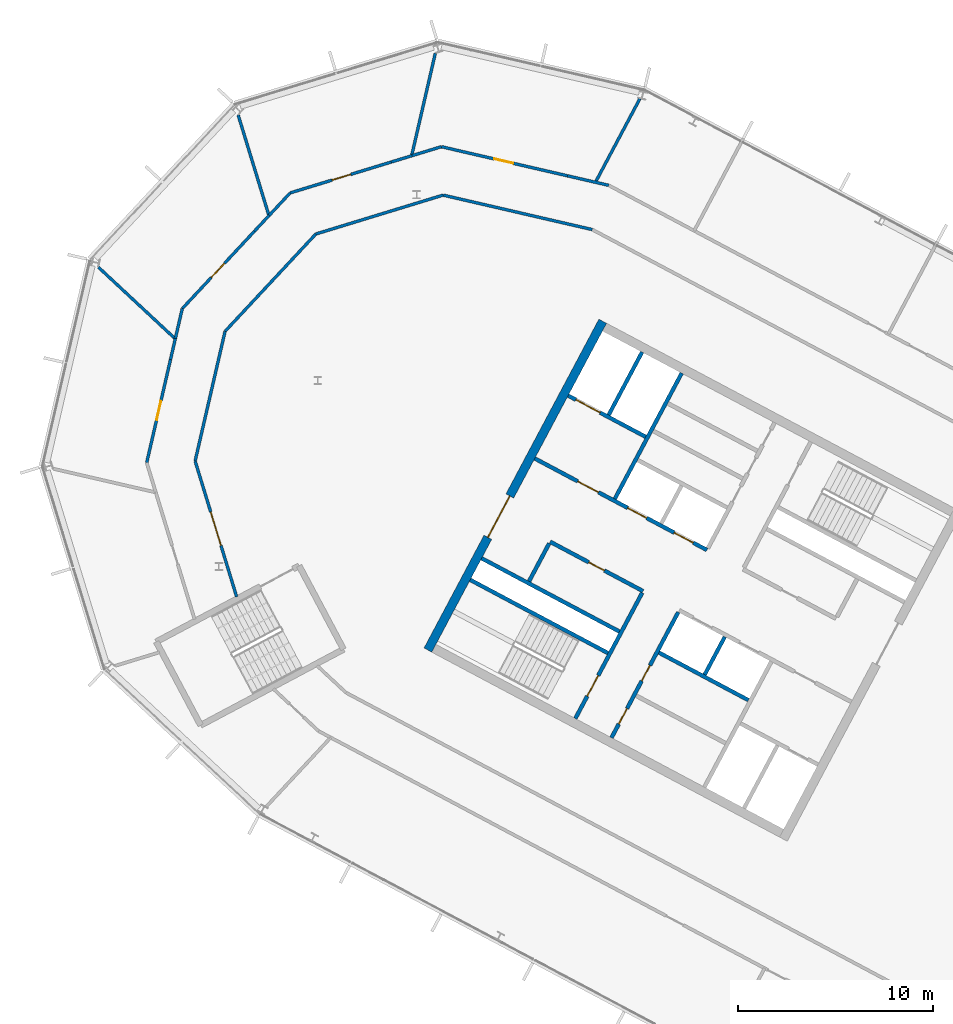
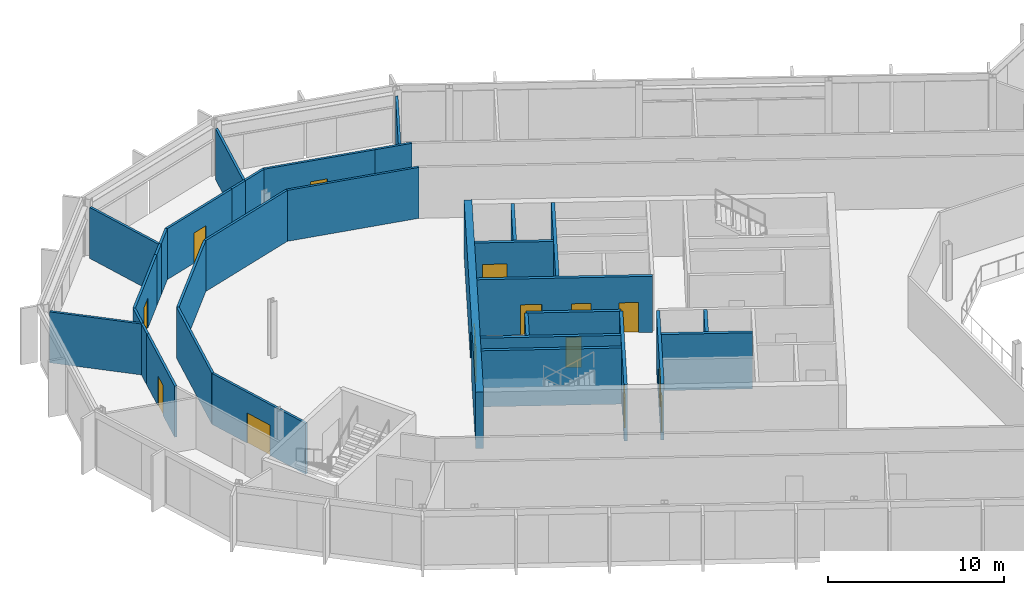
# One storey, part 14 of 26: 33 walls, 14 doors, 14 openings.
"""IFC4 building model written with IfcOpenShell, lengths in metres."""

from ifc_helpers import new_model, si_unit, direction, frame, frame_2d, origin, place, context, subcontext, project, spatial, rectangle, extrude, material, layer, layer_set, type_object, element, fill, save


model = new_model("IFC4")

# Units and contexts
model_context = context("Model", 3, precision=1e-05, world=origin(), true_north=direction((0.0, 1.0)))
body_context = subcontext(model_context, "Body", "Model", "MODEL_VIEW")
ifc_project = project(units=[si_unit("LENGTHUNIT", "METRE"), si_unit("AREAUNIT", "SQUARE_METRE"), si_unit("VOLUMEUNIT", "CUBIC_METRE"), si_unit("PLANEANGLEUNIT", "RADIAN"), si_unit("MASSUNIT", "GRAM", prefix="KILO")], contexts=[model_context])

# Site, building, storey
site_placement = place(None, origin())
site = spatial("IfcSite", under=ifc_project, at=site_placement, CompositionType="ELEMENT")
building_placement = place(site_placement, origin())
building = spatial("IfcBuilding", under=site, at=building_placement, Name="Cormorant Relay Tower", CompositionType="ELEMENT")
storey_placement = place(building_placement, frame((0.0, 0.0, 308.699951171875)))
storey = spatial("IfcBuildingStorey", under=building, at=storey_placement, Name="L70", CompositionType="ELEMENT", Elevation=308.699951171875)

# Wall
ifc_material_1 = material(Name="Concrete 40 MPa", Category="concrete")
ifc_layer_1 = layer(ifc_material_1, 0.199951171875)
ifc_layer_set_1 = layer_set([ifc_layer_1], Name="Core internal wall 200")
wall_type_1 = type_object("IfcWallType", Name="Core internal wall 200", PredefinedType="SOLIDWALL", material=ifc_layer_set_1)
wall_1_placement = place(storey_placement, frame((-25.744140625, 11.64990234375, 0.0), z_axis=(0.0, 0.0, 1.0), x_axis=(-0.469487830541, -0.882938942948, 0.0)))
element("IfcWall", 1, at=wall_1_placement, inside=storey, type_object=wall_type_1, Name="L70 core A shaft and room wall", PredefinedType="SOLIDWALL", context=body_context, shape_type="SweptSolid", body=[
    extrude(rectangle(XDim=2.2001953125, YDim=0.199951171875, at=frame_2d((1.10009765625, 0.0))), origin(), (0.0, 0.0, 1.0), 3.900146484375),
])

# Wall, openings, doors
ifc_material_2 = material(Name="Concrete 50 MPa", Category="concrete")
ifc_layer_2 = layer(ifc_material_2, 0.199951171875)
ifc_layer_set_2 = layer_set([ifc_layer_2], Name="Core shaft wall 200")
wall_type_2 = type_object("IfcWallType", Name="Core shaft wall 200", PredefinedType="SHEAR", material=ifc_layer_set_2)
wall_2_placement = place(storey_placement, frame((-28.128173828125, 12.91748046875, 0.0), z_axis=(0.0, 0.0, 1.0), x_axis=(-0.469454336211, -0.882956752176, 0.0)))
wall_2 = element("IfcWall", 2, at=wall_2_placement, inside=storey, type_object=wall_type_2, Name="L70 core A shaft wall", PredefinedType="SHEAR", context=body_context, shape_type="SweptSolid", body=[
    extrude(rectangle(XDim=7.300048828125, YDim=0.199951171875, at=frame_2d((3.64990234375, 0.0))), origin(), (0.0, 0.0, 1.0), 3.900146484375),
])
opening_1_placement = place(wall_2_placement, frame((3.10009765625, 0.0, 0.0)))
opening_1 = element("IfcOpeningElement", 3, at=opening_1_placement, cuts=wall_2, Name="Opening CDD-345", PredefinedType="OPENING", context=body_context, shape_type="SweptSolid", body=[
    extrude(rectangle(XDim=0.89990234375, YDim=2.10009765625, at=frame_2d((0.449951171875, 1.050048828125))), frame((0.0, 0.10986328125, 0.0), z_axis=(0.0, -1.0, 0.0), x_axis=(1.0, 0.0, 0.0)), (0.0, 0.0, 1.0), 0.219970703125),
])
opening_2_placement = place(wall_2_placement, frame((5.60009765625, 0.0, 0.0)))
opening_2 = element("IfcOpeningElement", 4, at=opening_2_placement, cuts=wall_2, Name="Opening CDD-346", PredefinedType="OPENING", context=body_context, shape_type="SweptSolid", body=[
    extrude(rectangle(XDim=0.89990234375, YDim=2.10009765625, at=frame_2d((0.449951171875, 1.050048828125))), frame((0.0, 0.10986328125, 0.0), z_axis=(0.0, -1.0, 0.0), x_axis=(1.0, 0.0, 0.0)), (0.0, 0.0, 1.0), 0.219970703125),
])
ifc_material_3 = material(Name="Steel fire door", Category="steel")
door_type_1 = type_object("IfcDoorType", Name="Core room door 900x2100", OperationType="SINGLE_SWING_LEFT", PredefinedType="DOOR", material=ifc_material_3)
door_1_placement = place(opening_1_placement, origin())
door_1 = element("IfcDoor", 5, at=door_1_placement, inside=storey, type_object=door_type_1, Name="Core room door 900x2100", OperationType="SINGLE_SWING_LEFT", OverallHeight=2.10009765625, OverallWidth=0.89990234375, PredefinedType="DOOR", context=body_context, shape_type="SweptSolid", body=[
    extrude(rectangle(XDim=0.89990234375, YDim=2.10009765625, at=frame_2d((0.449951171875, 1.050048828125))), frame((0.0, 0.02490234375, 0.0), z_axis=(0.0, -1.0, 0.0), x_axis=(1.0, 0.0, 0.0)), (0.0, 0.0, 1.0), 0.050048828125),
])
fill(opening_1, door_1)
door_2_placement = place(opening_2_placement, origin())
door_2 = element("IfcDoor", 6, at=door_2_placement, inside=storey, type_object=door_type_1, Name="Core room door 900x2100", OperationType="SINGLE_SWING_LEFT", OverallHeight=2.10009765625, OverallWidth=0.89990234375, PredefinedType="DOOR", context=body_context, shape_type="SweptSolid", body=[
    extrude(rectangle(XDim=0.89990234375, YDim=2.10009765625, at=frame_2d((0.449951171875, 1.050048828125))), frame((0.0, 0.02490234375, 0.0), z_axis=(0.0, -1.0, 0.0), x_axis=(1.0, 0.0, 0.0)), (0.0, 0.0, 1.0), 0.050048828125),
])
fill(opening_2, door_2)

# Wall, opening, door
wall_3_placement = place(storey_placement, frame((-29.982421875, 13.9033203125, 0.0), z_axis=(0.0, 0.0, 1.0), x_axis=(-0.469454336211, -0.882956752176, 0.0)))
wall_3 = element("IfcWall", 7, at=wall_3_placement, inside=storey, type_object=wall_type_2, Name="L70 core A shaft wall", PredefinedType="SHEAR", context=body_context, shape_type="SweptSolid", body=[
    extrude(rectangle(XDim=7.300048828125, YDim=0.199951171875, at=frame_2d((3.64990234375, 0.0))), origin(), (0.0, 0.0, 1.0), 3.900146484375),
])
opening_3_placement = place(wall_3_placement, frame((4.800048828125, 0.0, 0.0)))
opening_3 = element("IfcOpeningElement", 8, at=opening_3_placement, cuts=wall_3, Name="Opening CDB-039", PredefinedType="OPENING", context=body_context, shape_type="SweptSolid", body=[
    extrude(rectangle(XDim=1.199951171875, YDim=2.10009765625, at=frame_2d((0.60009765625, 1.050048828125))), frame((0.0, 0.10986328125, 0.0), z_axis=(0.0, -1.0, 0.0), x_axis=(1.0, 0.0, 0.0)), (0.0, 0.0, 1.0), 0.219970703125),
])
ifc_material_4 = material(Name="Steel fire door", Category="steel")
door_type_2 = type_object("IfcDoorType", Name="Core stair door 1200x2100", OperationType="SINGLE_SWING_LEFT", PredefinedType="DOOR", material=ifc_material_4)
door_3_placement = place(opening_3_placement, frame((1.199951171875, 0.0, 0.0), z_axis=(0.0, 0.0, 1.0), x_axis=(-1.0, 0.0, 0.0)))
door_3 = element("IfcDoor", 9, at=door_3_placement, inside=storey, type_object=door_type_2, Name="Core stair door 1200x2100", OperationType="SINGLE_SWING_RIGHT", OverallHeight=2.10009765625, OverallWidth=1.199951171875, PredefinedType="DOOR", context=body_context, shape_type="SweptSolid", body=[
    extrude(rectangle(XDim=1.199951171875, YDim=2.10009765625, at=frame_2d((0.60009765625, 1.050048828125))), frame((0.0, 0.02490234375, 0.0), z_axis=(0.0, -1.0, 0.0), x_axis=(1.0, 0.0, 0.0)), (0.0, 0.0, 1.0), 0.050048828125),
])
fill(opening_3, door_3)

# Walls
wall_4_placement = place(storey_placement, frame((-27.955322265625, 25.170654296875, 0.0), z_axis=(0.0, 0.0, 1.0), x_axis=(-0.469480409012, -0.88294288918, 0.0)))
element("IfcWall", 10, at=wall_4_placement, inside=storey, type_object=wall_type_2, Name="L70 core A shaft wall", PredefinedType="SHEAR", context=body_context, shape_type="SweptSolid", body=[
    extrude(rectangle(XDim=7.300048828125, YDim=0.199951171875, at=frame_2d((3.64990234375, 0.0))), origin(), (0.0, 0.0, 1.0), 3.900146484375),
])
wall_5_placement = place(storey_placement, frame((-34.750244140625, 16.4384765625, 0.0), z_axis=(0.0, 0.0, 1.0), x_axis=(-0.469401318492, -0.882984938828, 0.0)))
element("IfcWall", 11, at=wall_5_placement, inside=storey, type_object=wall_type_2, Name="L70 core A shaft wall", PredefinedType="SHEAR", context=body_context, shape_type="SweptSolid", body=[
    extrude(rectangle(XDim=2.199951171875, YDim=0.199951171875, at=frame_2d((1.10009765625, 0.0))), origin(), (0.0, 0.0, 1.0), 3.900146484375),
])
wall_6_placement = place(storey_placement, frame((-29.986083984375, 26.250244140625, 0.0), z_axis=(0.0, 0.0, 1.0), x_axis=(-0.469494272526, -0.882935517501, 0.0)))
element("IfcWall", 12, at=wall_6_placement, inside=storey, type_object=wall_type_2, Name="L70 core A shaft wall", PredefinedType="SHEAR", context=body_context, shape_type="SweptSolid", body=[
    extrude(rectangle(XDim=3.64990234375, YDim=0.199951171875, at=frame_2d((1.824951171875, 0.0))), origin(), (0.0, 0.0, 1.0), 3.900146484375),
])

# Wall, opening, door
wall_7_placement = place(storey_placement, frame((-29.80419921875, 21.906494140625, 0.0), z_axis=(0.0, 0.0, 1.0), x_axis=(-0.882960433586, 0.469447412093, 0.0)))
wall_7 = element("IfcWall", 13, at=wall_7_placement, inside=storey, type_object=wall_type_2, Name="L70 core A shaft wall", PredefinedType="SHEAR", context=body_context, shape_type="SweptSolid", body=[
    extrude(rectangle(XDim=4.5, YDim=0.199951171875, at=frame_2d((2.25, 0.0))), origin(), (0.0, 0.0, 1.0), 3.900146484375),
])
opening_4_placement = place(wall_7_placement, frame((2.64990234375, 0.0, 0.0)))
opening_4 = element("IfcOpeningElement", 14, at=opening_4_placement, cuts=wall_7, Name="Opening LD3-015", PredefinedType="OPENING", context=body_context, shape_type="SweptSolid", body=[
    extrude(rectangle(XDim=1.39990234375, YDim=2.39990234375, at=frame_2d((0.699951171875, 1.199951171875))), frame((0.0, 0.10986328125, 0.0), z_axis=(0.0, -1.0, 0.0), x_axis=(1.0, 0.0, 0.0)), (0.0, 0.0, 1.0), 0.219970703125),
])
ifc_material_5 = material(Name="Stainless steel 316", Category="steel")
door_type_3 = type_object("IfcDoorType", Name="Lift landing door 1400x2400", OperationType="DOUBLE_DOOR_SLIDING", PredefinedType="DOOR", material=ifc_material_5)
door_4_placement = place(opening_4_placement, origin())
door_4 = element("IfcDoor", 15, at=door_4_placement, inside=storey, type_object=door_type_3, Name="SV1 landing door", OperationType="DOUBLE_DOOR_SLIDING", OverallHeight=2.39990234375, OverallWidth=1.39990234375, PredefinedType="DOOR", context=body_context, shape_type="SweptSolid", body=[
    extrude(rectangle(XDim=1.39990234375, YDim=2.39990234375, at=frame_2d((0.699951171875, 1.199951171875))), frame((0.0, 0.02490234375, 0.0), z_axis=(0.0, -1.0, 0.0), x_axis=(1.0, 0.0, 0.0)), (0.0, 0.0, 1.0), 0.050048828125),
])
fill(opening_4, door_4)

# Wall, openings, doors
wall_8_placement = place(storey_placement, frame((-26.66162109375, 16.1015625, 0.0), z_axis=(0.0, 0.0, 1.0), x_axis=(-0.882940221191, 0.469485426614, 0.0)))
wall_8 = element("IfcWall", 16, at=wall_8_placement, inside=storey, type_object=wall_type_2, Name="L70 core A shaft wall", PredefinedType="SHEAR", context=body_context, shape_type="SweptSolid", body=[
    extrude(rectangle(XDim=10.0, YDim=0.199951171875, at=frame_2d((5.0, 0.0))), origin(), (0.0, 0.0, 1.0), 3.900146484375),
])
opening_5_placement = place(wall_8_placement, frame((6.300048828125, 0.0, 0.0)))
opening_5 = element("IfcOpeningElement", 17, at=opening_5_placement, cuts=wall_8, Name="Opening CDC-034", PredefinedType="OPENING", context=body_context, shape_type="SweptSolid", body=[
    extrude(rectangle(XDim=1.199951171875, YDim=2.10009765625, at=frame_2d((0.60009765625, 1.050048828125))), frame((0.0, 0.10986328125, 0.0), z_axis=(0.0, -1.0, 0.0), x_axis=(1.0, 0.0, 0.0)), (0.0, 0.0, 1.0), 0.219970703125),
])
opening_6_placement = place(wall_8_placement, frame((0.800048828125, 0.0, 0.0)))
opening_6 = element("IfcOpeningElement", 18, at=opening_6_placement, cuts=wall_8, Name="Opening LD1-067", PredefinedType="OPENING", context=body_context, shape_type="SweptSolid", body=[
    extrude(rectangle(XDim=1.10009765625, YDim=2.10009765625, at=frame_2d((0.550048828125, 1.050048828125))), frame((0.0, 0.10986328125, 0.0), z_axis=(0.0, -1.0, 0.0), x_axis=(1.0, 0.0, 0.0)), (0.0, 0.0, 1.0), 0.219970703125),
])
opening_7_placement = place(wall_8_placement, frame((3.5, 0.0, 0.0)))
opening_7 = element("IfcOpeningElement", 19, at=opening_7_placement, cuts=wall_8, Name="Opening LD1-068", PredefinedType="OPENING", context=body_context, shape_type="SweptSolid", body=[
    extrude(rectangle(XDim=1.10009765625, YDim=2.10009765625, at=frame_2d((0.550048828125, 1.050048828125))), frame((0.0, 0.10986328125, 0.0), z_axis=(0.0, -1.0, 0.0), x_axis=(1.0, 0.0, 0.0)), (0.0, 0.0, 1.0), 0.219970703125),
])
ifc_material_6 = material(Name="Steel fire door", Category="steel")
door_type_4 = type_object("IfcDoorType", Name="Core lobby door 1200x2100", OperationType="SINGLE_SWING_LEFT", PredefinedType="DOOR", material=ifc_material_6)
door_5_placement = place(opening_5_placement, origin())
door_5 = element("IfcDoor", 20, at=door_5_placement, inside=storey, type_object=door_type_4, Name="Core lobby door 1200x2100", OperationType="SINGLE_SWING_LEFT", OverallHeight=2.10009765625, OverallWidth=1.199951171875, PredefinedType="DOOR", context=body_context, shape_type="SweptSolid", body=[
    extrude(rectangle(XDim=1.199951171875, YDim=2.10009765625, at=frame_2d((0.60009765625, 1.050048828125))), frame((0.0, 0.02490234375, 0.0), z_axis=(0.0, -1.0, 0.0), x_axis=(1.0, 0.0, 0.0)), (0.0, 0.0, 1.0), 0.050048828125),
])
fill(opening_5, door_5)
ifc_material_7 = material(Name="Stainless steel 316", Category="steel")
door_type_5 = type_object("IfcDoorType", Name="Lift landing door 1100x2100", OperationType="DOUBLE_DOOR_SLIDING", PredefinedType="DOOR", material=ifc_material_7)
door_6_placement = place(opening_6_placement, origin())
door_6 = element("IfcDoor", 21, at=door_6_placement, inside=storey, type_object=door_type_5, Name="HR3 landing door", OperationType="DOUBLE_DOOR_SLIDING", OverallHeight=2.10009765625, OverallWidth=1.10009765625, PredefinedType="DOOR", context=body_context, shape_type="SweptSolid", body=[
    extrude(rectangle(XDim=1.10009765625, YDim=2.10009765625, at=frame_2d((0.550048828125, 1.050048828125))), frame((0.0, 0.02490234375, 0.0), z_axis=(0.0, -1.0, 0.0), x_axis=(1.0, 0.0, 0.0)), (0.0, 0.0, 1.0), 0.050048828125),
])
fill(opening_6, door_6)
door_7_placement = place(opening_7_placement, origin())
door_7 = element("IfcDoor", 22, at=door_7_placement, inside=storey, type_object=door_type_5, Name="HR4 landing door", OperationType="DOUBLE_DOOR_SLIDING", OverallHeight=2.10009765625, OverallWidth=1.10009765625, PredefinedType="DOOR", context=body_context, shape_type="SweptSolid", body=[
    extrude(rectangle(XDim=1.10009765625, YDim=2.10009765625, at=frame_2d((0.550048828125, 1.050048828125))), frame((0.0, 0.02490234375, 0.0), z_axis=(0.0, -1.0, 0.0), x_axis=(1.0, 0.0, 0.0)), (0.0, 0.0, 1.0), 0.050048828125),
])
fill(opening_7, door_7)

# Wall, opening, door
wall_9_placement = place(storey_placement, frame((-29.935302734375, 13.991455078125, 0.0), z_axis=(0.0, 0.0, 1.0), x_axis=(-0.882952937579, 0.469461510692, 0.0)))
wall_9 = element("IfcWall", 23, at=wall_9_placement, inside=storey, type_object=wall_type_2, Name="L70 core A shaft wall", PredefinedType="SHEAR", context=body_context, shape_type="SweptSolid", body=[
    extrude(rectangle(XDim=5.400146484375, YDim=0.199951171875, at=frame_2d((2.7001953125, 0.0))), origin(), (0.0, 0.0, 1.0), 3.900146484375),
])
opening_8_placement = place(wall_9_placement, frame((2.25, 0.0, 0.0)))
opening_8 = element("IfcOpeningElement", 24, at=opening_8_placement, cuts=wall_9, Name="Opening CDD-318", PredefinedType="OPENING", context=body_context, shape_type="SweptSolid", body=[
    extrude(rectangle(XDim=0.89990234375, YDim=2.10009765625, at=frame_2d((0.449951171875, 1.050048828125))), frame((0.0, 0.10986328125, 0.0), z_axis=(0.0, -1.0, 0.0), x_axis=(1.0, 0.0, 0.0)), (0.0, 0.0, 1.0), 0.219970703125),
])
door_8_placement = place(opening_8_placement, origin())
door_8 = element("IfcDoor", 25, at=door_8_placement, inside=storey, type_object=door_type_1, Name="Core room door 900x2100", OperationType="SINGLE_SWING_LEFT", OverallHeight=2.10009765625, OverallWidth=0.89990234375, PredefinedType="DOOR", context=body_context, shape_type="SweptSolid", body=[
    extrude(rectangle(XDim=0.89990234375, YDim=2.10009765625, at=frame_2d((0.449951171875, 1.050048828125))), frame((0.0, 0.02490234375, 0.0), z_axis=(0.0, -1.0, 0.0), x_axis=(1.0, 0.0, 0.0)), (0.0, 0.0, 1.0), 0.050048828125),
])
fill(opening_8, door_8)

# Walls
wall_10_placement = place(storey_placement, frame((-24.5283203125, 8.3984375, 0.0), z_axis=(0.0, 0.0, 1.0), x_axis=(-0.882953967957, 0.469459572775, 0.0)))
element("IfcWall", 26, at=wall_10_placement, inside=storey, type_object=wall_type_2, Name="L70 core A shaft wall", PredefinedType="SHEAR", context=body_context, shape_type="SweptSolid", body=[
    extrude(rectangle(XDim=5.199951171875, YDim=0.199951171875, at=frame_2d((2.60009765625, 0.0))), origin(), (0.0, 0.0, 1.0), 3.900146484375),
])
for number, where, z_axis, x_axis, name in (
    (27, (-31.150390625, 11.91943359375, 0.0), (0.0, 0.0, 1.0), (-0.882940221191, 0.469485426614, 0.0), "L70 core A shaft wall"),
    (28, (-31.7373046875, 10.815673828125, 0.0), (0.0, 0.0, 1.0), (-0.882940221191, 0.469485426614, 0.0), "L70 core A shaft wall"),
):
    element("IfcWall", number, at=place(storey_placement, frame(where, z_axis=z_axis, x_axis=x_axis)), inside=storey, type_object=wall_type_2, Name=name, PredefinedType="SHEAR", context=body_context, shape_type="SweptSolid", body=[
        extrude(rectangle(XDim=8.0, YDim=0.199951171875, at=frame_2d((4.0, 0.0))), origin(), (0.0, 0.0, 1.0), 3.900146484375),
    ])

# Wall, opening, door
ifc_material_8 = material(Name="Concrete 50 MPa", Category="concrete")
ifc_layer_3 = layer(ifc_material_8, 0.449951171875)
ifc_layer_set_3 = layer_set([ifc_layer_3], Name="Core wall 450")
wall_type_3 = type_object("IfcWallType", Name="Core wall 450", PredefinedType="SHEAR", material=ifc_layer_set_3)
wall_11_placement = place(storey_placement, frame((-32.00439453125, 27.8330078125, 0.0), z_axis=(0.0, 0.0, 1.0), x_axis=(-0.469467968382, -0.882949504028, 0.0)))
wall_11 = element("IfcWall", 29, at=wall_11_placement, inside=storey, type_object=wall_type_3, Name="L70 core A wall", PredefinedType="SHEAR", context=body_context, shape_type="SweptSolid", body=[
    extrude(rectangle(XDim=19.099853515625, YDim=0.449951171875, at=frame_2d((9.5498046875, 0.0))), origin(), (0.0, 0.0, 1.0), 3.900146484375),
])
opening_9_placement = place(wall_11_placement, frame((10.14990234375, 0.0, 0.0)))
opening_9 = element("IfcOpeningElement", 30, at=opening_9_placement, cuts=wall_11, Name="Opening CDA-051", PredefinedType="OPENING", context=body_context, shape_type="SweptSolid", body=[
    extrude(rectangle(XDim=2.39990234375, YDim=2.39990234375, at=frame_2d((1.199951171875, 1.199951171875))), frame((0.0, 0.23486328125, 0.0), z_axis=(0.0, -1.0, 0.0), x_axis=(1.0, 0.0, 0.0)), (0.0, 0.0, 1.0), 0.469970703125),
])
ifc_material_9 = material(Name="Steel fire door", Category="steel")
door_type_6 = type_object("IfcDoorType", Name="Core lobby door 2400x2400", OperationType="DOUBLE_DOOR_SINGLE_SWING", PredefinedType="DOOR", material=ifc_material_9)
door_9_placement = place(opening_9_placement, origin())
door_9 = element("IfcDoor", 31, at=door_9_placement, inside=storey, type_object=door_type_6, Name="Core lobby door 2400x2400", OperationType="DOUBLE_DOOR_SINGLE_SWING", OverallHeight=2.39990234375, OverallWidth=2.39990234375, PredefinedType="DOOR", context=body_context, shape_type="SweptSolid", body=[
    extrude(rectangle(XDim=2.39990234375, YDim=2.39990234375, at=frame_2d((1.199951171875, 1.199951171875))), frame((0.0, 0.02490234375, 0.0), z_axis=(0.0, -1.0, 0.0), x_axis=(1.0, 0.0, 0.0)), (0.0, 0.0, 1.0), 0.050048828125),
])
fill(opening_9, door_9)

ifc_material_10 = material(Name="Gypsum board fire partition")
ifc_layer_4 = layer(ifc_material_10, 0.14990234375)
ifc_layer_set_4 = layer_set([ifc_layer_4], Name="Corridor partition 150 EI 60")
wall_type_4 = type_object("IfcWallType", Name="Corridor partition 150 EI 60", PredefinedType="PARTITIONING", material=ifc_layer_set_4)
wall_12_placement = place(storey_placement, frame((-55.39111328125, 20.5791015625, 0.0), z_axis=(0.0, 0.0, 1.0), x_axis=(0.224928528674, 0.974375264972, 0.0)))
wall_12 = element("IfcWall", 32, at=wall_12_placement, inside=storey, type_object=wall_type_4, Name="wall/L70/part/005", PredefinedType="PARTITIONING", context=body_context, shape_type="SweptSolid", body=[
    extrude(rectangle(XDim=5.4248046875, YDim=0.14990234375, at=frame_2d((2.71240234375, 0.0))), origin(), (0.0, 0.0, 1.0), 3.5400390625),
])
opening_10_placement = place(wall_12_placement, frame((2.25, 0.0, 0.0)))
opening_10 = element("IfcOpeningElement", 33, at=opening_10_placement, cuts=wall_12, Name="Opening DS-252", PredefinedType="OPENING", context=body_context, shape_type="SweptSolid", body=[
    extrude(rectangle(XDim=1.0, YDim=2.10009765625, at=frame_2d((0.5, 1.050048828125))), frame((0.0, 0.0849609375, 0.0), z_axis=(0.0, -1.0, 0.0), x_axis=(1.0, 0.0, 0.0)), (0.0, 0.0, 1.0), 0.169921875),
])
ifc_material_11 = material(Name="Timber door leaf", Category="wood")
door_type_7 = type_object("IfcDoorType", Name="Suite door 1000x2100", OperationType="SINGLE_SWING_LEFT", PredefinedType="DOOR", material=ifc_material_11)
door_10_placement = place(opening_10_placement, origin())
door_10 = element("IfcDoor", 34, at=door_10_placement, inside=storey, type_object=door_type_7, Name="door/L70/011", OperationType="SINGLE_SWING_RIGHT", OverallHeight=2.10009765625, OverallWidth=1.0, PredefinedType="DOOR", context=body_context, shape_type="SweptSolid", body=[
    extrude(rectangle(XDim=1.0, YDim=2.10009765625, at=frame_2d((0.5, 1.050048828125))), frame((0.0, 0.02490234375, 0.0), z_axis=(0.0, -1.0, 0.0), x_axis=(1.0, 0.0, 0.0)), (0.0, 0.0, 1.0), 0.050048828125),
])
fill(opening_10, door_10)

# Wall
wall_13_placement = place(storey_placement, frame((-54.1708984375, 25.864990234375, 0.0), z_axis=(0.0, 0.0, 1.0), x_axis=(0.224539202938, 0.974465056502, 0.0)))
element("IfcWall", 35, at=wall_13_placement, inside=storey, type_object=wall_type_4, Name="wall/L70/part/007", PredefinedType="PARTITIONING", context=body_context, shape_type="SweptSolid", body=[
    extrude(rectangle(XDim=1.11328125, YDim=0.14990234375, at=frame_2d((0.556640625, 0.0))), origin(), (0.0, 0.0, 1.0), 3.5400390625),
])

# Wall, opening, door
wall_14_placement = place(storey_placement, frame((-49.867919921875, 32.448974609375, 0.0), z_axis=(0.0, 0.0, 1.0), x_axis=(-0.681963747557, -0.731385976771, 0.0)))
wall_14 = element("IfcWall", 36, at=wall_14_placement, inside=storey, type_object=wall_type_4, Name="wall/L70/part/008", PredefinedType="PARTITIONING", context=body_context, shape_type="SweptSolid", body=[
    extrude(rectangle(XDim=5.424072265625, YDim=0.14990234375, at=frame_2d((2.7119140625, 0.0))), origin(), (0.0, 0.0, 1.0), 3.5400390625),
])
opening_11_placement = place(wall_14_placement, frame((2.25, 0.0, 0.0)))
opening_11 = element("IfcOpeningElement", 37, at=opening_11_placement, cuts=wall_14, Name="Opening DS-251", PredefinedType="OPENING", context=body_context, shape_type="SweptSolid", body=[
    extrude(rectangle(XDim=1.0, YDim=2.10009765625, at=frame_2d((0.5, 1.050048828125))), frame((0.0, 0.0849609375, 0.0), z_axis=(0.0, -1.0, 0.0), x_axis=(1.0, 0.0, 0.0)), (0.0, 0.0, 1.0), 0.169921875),
])
door_11_placement = place(opening_11_placement, frame((1.0, 0.0, 0.0), z_axis=(0.0, 0.0, 1.0), x_axis=(-1.0, 0.0, 0.0)))
door_11 = element("IfcDoor", 38, at=door_11_placement, inside=storey, type_object=door_type_7, Name="door/L70/010", OperationType="SINGLE_SWING_RIGHT", OverallHeight=2.10009765625, OverallWidth=1.0, PredefinedType="DOOR", context=body_context, shape_type="SweptSolid", body=[
    extrude(rectangle(XDim=1.0, YDim=2.10009765625, at=frame_2d((0.5, 1.050048828125))), frame((0.0, 0.02490234375, 0.0), z_axis=(0.0, -1.0, 0.0), x_axis=(1.0, 0.0, 0.0)), (0.0, 0.0, 1.0), 0.050048828125),
])
fill(opening_11, door_11)

# Wall
wall_15_placement = place(storey_placement, frame((-53.56689453125, 28.48193359375, 0.0), z_axis=(0.0, 0.0, 1.0), x_axis=(-0.225142997663, -0.974325731264, 0.0)))
element("IfcWall", 39, at=wall_15_placement, inside=storey, type_object=wall_type_4, Name="wall/L70/part/009", PredefinedType="PARTITIONING", context=body_context, shape_type="SweptSolid", body=[
    extrude(rectangle(XDim=1.572265625, YDim=0.14990234375, at=frame_2d((0.7861328125, 0.0))), origin(), (0.0, 0.0, 1.0), 3.5400390625),
])

# Wall, opening, door
wall_16_placement = place(storey_placement, frame((-50.778076171875, 13.699951171875, 0.0), z_axis=(0.0, 0.0, 1.0), x_axis=(-0.292389680205, 0.956299260122, 0.0)))
wall_16 = element("IfcWall", 40, at=wall_16_placement, inside=storey, type_object=wall_type_4, Name="wall/L70/part/011", PredefinedType="PARTITIONING", context=body_context, shape_type="SweptSolid", body=[
    extrude(rectangle(XDim=7.284423828125, YDim=0.14990234375, at=frame_2d((3.64208984375, 0.0))), origin(), (0.0, 0.0, 1.0), 3.5400390625),
])
opening_12_placement = place(wall_16_placement, frame((2.75, 0.0, 0.0)))
opening_12 = element("IfcOpeningElement", 41, at=opening_12_placement, cuts=wall_16, Name="Opening DD-042", PredefinedType="OPENING", context=body_context, shape_type="SweptSolid", body=[
    extrude(rectangle(XDim=1.800048828125, YDim=2.10009765625, at=frame_2d((0.89990234375, 1.050048828125))), frame((0.0, 0.0849609375, 0.0), z_axis=(0.0, -1.0, 0.0), x_axis=(1.0, 0.0, 0.0)), (0.0, 0.0, 1.0), 0.169921875),
])
ifc_material_12 = material(Name="Timber door leaf", Category="wood")
door_type_8 = type_object("IfcDoorType", Name="Suite double door 1800x2100", OperationType="DOUBLE_DOOR_SINGLE_SWING", PredefinedType="DOOR", material=ifc_material_12)
door_12_placement = place(opening_12_placement, frame((1.800048828125, 0.0, 0.0), z_axis=(0.0, 0.0, 1.0), x_axis=(-1.0, 0.0, 0.0)))
door_12 = element("IfcDoor", 42, at=door_12_placement, inside=storey, type_object=door_type_8, Name="door/L70/001", OperationType="DOUBLE_DOOR_SINGLE_SWING", OverallHeight=2.10009765625, OverallWidth=1.800048828125, PredefinedType="DOOR", context=body_context, shape_type="SweptSolid", body=[
    extrude(rectangle(XDim=1.800048828125, YDim=2.10009765625, at=frame_2d((0.89990234375, 1.050048828125))), frame((0.0, 0.02490234375, 0.0), z_axis=(0.0, -1.0, 0.0), x_axis=(1.0, 0.0, 0.0)), (0.0, 0.0, 1.0), 0.050048828125),
])
fill(opening_12, door_12)

# Walls
wall_17_placement = place(storey_placement, frame((-52.907958984375, 20.666015625, 0.0), z_axis=(0.0, 0.0, 1.0), x_axis=(0.224903921074, 0.974380945157, 0.0)))
element("IfcWall", 43, at=wall_17_placement, inside=storey, type_object=wall_type_4, Name="wall/L70/part/012", PredefinedType="PARTITIONING", context=body_context, shape_type="SweptSolid", body=[
    extrude(rectangle(XDim=6.82470703125, YDim=0.14990234375, at=frame_2d((3.412353515625, 0.0))), origin(), (0.0, 0.0, 1.0), 3.5400390625),
])
wall_18_placement = place(storey_placement, frame((-51.373046875, 27.31591796875, 0.0), z_axis=(0.0, 0.0, 1.0), x_axis=(0.681990592771, 0.731360944658, 0.0)))
element("IfcWall", 44, at=wall_18_placement, inside=storey, type_object=wall_type_4, Name="wall/L70/part/013", PredefinedType="PARTITIONING", context=body_context, shape_type="SweptSolid", body=[
    extrude(rectangle(XDim=6.82421875, YDim=0.14990234375, at=frame_2d((3.412109375, 0.0))), origin(), (0.0, 0.0, 1.0), 3.5400390625),
])
wall_19_placement = place(storey_placement, frame((-46.718994140625, 32.306884765625, 0.0), z_axis=(0.0, 0.0, 1.0), x_axis=(0.95630656764, 0.292365778928, 0.0)))
element("IfcWall", 45, at=wall_19_placement, inside=storey, type_object=wall_type_4, Name="wall/L70/part/014", PredefinedType="PARTITIONING", context=body_context, shape_type="SweptSolid", body=[
    extrude(rectangle(XDim=6.823974609375, YDim=0.14990234375, at=frame_2d((3.412109375, 0.0))), origin(), (0.0, 0.0, 1.0), 3.5400390625),
])
wall_20_placement = place(storey_placement, frame((-40.193115234375, 34.302001953125, 0.0), z_axis=(0.0, 0.0, 1.0), x_axis=(0.974357128631, -0.225007079636, 0.0)))
element("IfcWall", 46, at=wall_20_placement, inside=storey, type_object=wall_type_4, Name="wall/L70/part/015", PredefinedType="PARTITIONING", context=body_context, shape_type="SweptSolid", body=[
    extrude(rectangle(XDim=7.853515625, YDim=0.14990234375, at=frame_2d((3.9267578125, 0.0))), origin(), (0.0, 0.0, 1.0), 3.5400390625),
])
wall_21_placement = place(storey_placement, frame((-49.867919921875, 32.448974609375, 0.0), z_axis=(0.0, 0.0, 1.0), x_axis=(0.682029372067, 0.731324781227, 0.0)))
element("IfcWall", 47, at=wall_21_placement, inside=storey, type_object=wall_type_4, Name="wall/L70/part/026", PredefinedType="PARTITIONING", context=body_context, shape_type="SweptSolid", body=[
    extrude(rectangle(XDim=1.1142578125, YDim=0.14990234375, at=frame_2d((0.55712890625, 0.0))), origin(), (0.0, 0.0, 1.0), 3.5400390625),
])
wall_22_placement = place(storey_placement, frame((-48.034912109375, 34.4140625, 0.0), z_axis=(0.0, 0.0, 1.0), x_axis=(-0.682157860234, -0.731204932779, 0.0)))
element("IfcWall", 48, at=wall_22_placement, inside=storey, type_object=wall_type_4, Name="wall/L70/part/029", PredefinedType="PARTITIONING", context=body_context, shape_type="SweptSolid", body=[
    extrude(rectangle(XDim=1.572998046875, YDim=0.14990234375, at=frame_2d((0.78662109375, 0.0))), origin(), (0.0, 0.0, 1.0), 3.5400390625),
])

# Wall, opening, door
wall_23_placement = place(storey_placement, frame((-48.035888671875, 34.4140625, 0.0), z_axis=(0.0, 0.0, 1.0), x_axis=(0.956314531939, 0.292339727034, 0.0)))
wall_23 = element("IfcWall", 49, at=wall_23_placement, inside=storey, type_object=wall_type_4, Name="wall/L70/part/030", PredefinedType="PARTITIONING", context=body_context, shape_type="SweptSolid", body=[
    extrude(rectangle(XDim=5.425048828125, YDim=0.14990234375, at=frame_2d((2.71240234375, 0.0))), origin(), (0.0, 0.0, 1.0), 3.5400390625),
])
opening_13_placement = place(wall_23_placement, frame((2.25, 0.0, 0.0)))
opening_13 = element("IfcOpeningElement", 50, at=opening_13_placement, cuts=wall_23, Name="Opening DS-250", PredefinedType="OPENING", context=body_context, shape_type="SweptSolid", body=[
    extrude(rectangle(XDim=1.0, YDim=2.10009765625, at=frame_2d((0.5, 1.050048828125))), frame((0.0, 0.0849609375, 0.0), z_axis=(0.0, -1.0, 0.0), x_axis=(1.0, 0.0, 0.0)), (0.0, 0.0, 1.0), 0.169921875),
])
door_13_placement = place(opening_13_placement, origin())
door_13 = element("IfcDoor", 51, at=door_13_placement, inside=storey, type_object=door_type_7, Name="door/L70/009", OperationType="SINGLE_SWING_RIGHT", OverallHeight=2.10009765625, OverallWidth=1.0, PredefinedType="DOOR", context=body_context, shape_type="SweptSolid", body=[
    extrude(rectangle(XDim=1.0, YDim=2.10009765625, at=frame_2d((0.5, 1.050048828125))), frame((0.0, 0.02490234375, 0.0), z_axis=(0.0, -1.0, 0.0), x_axis=(1.0, 0.0, 0.0)), (0.0, 0.0, 1.0), 0.050048828125),
])
fill(opening_13, door_13)

# Wall
wall_24_placement = place(storey_placement, frame((-42.847900390625, 36.0, 0.0), z_axis=(0.0, 0.0, 1.0), x_axis=(0.95646384432, 0.291850842914, 0.0)))
element("IfcWall", 52, at=wall_24_placement, inside=storey, type_object=wall_type_4, Name="wall/L70/part/034", PredefinedType="PARTITIONING", context=body_context, shape_type="SweptSolid", body=[
    extrude(rectangle(XDim=1.113525390625, YDim=0.14990234375, at=frame_2d((0.556640625, 0.0))), origin(), (0.0, 0.0, 1.0), 3.5400390625),
])

# Wall, opening, door
wall_25_placement = place(storey_placement, frame((-33.818115234375, 35.29296875, 0.0), z_axis=(0.0, 0.0, 1.0), x_axis=(-0.974359538852, 0.224996642304, 0.0)))
wall_25 = element("IfcWall", 53, at=wall_25_placement, inside=storey, type_object=wall_type_4, Name="wall/L70/part/036", PredefinedType="PARTITIONING", context=body_context, shape_type="SweptSolid", body=[
    extrude(rectangle(XDim=6.630859375, YDim=0.14990234375, at=frame_2d((3.3154296875, 0.0))), origin(), (0.0, 0.0, 1.0), 3.5400390625),
])
opening_14_placement = place(wall_25_placement, frame((2.85009765625, 0.0, 0.0)))
opening_14 = element("IfcOpeningElement", 54, at=opening_14_placement, cuts=wall_25, Name="Opening DS-249", PredefinedType="OPENING", context=body_context, shape_type="SweptSolid", body=[
    extrude(rectangle(XDim=1.0, YDim=2.10009765625, at=frame_2d((0.5, 1.050048828125))), frame((0.0, 0.0849609375, 0.0), z_axis=(0.0, -1.0, 0.0), x_axis=(1.0, 0.0, 0.0)), (0.0, 0.0, 1.0), 0.169921875),
])
door_14_placement = place(opening_14_placement, frame((1.0, 0.0, 0.0), z_axis=(0.0, 0.0, 1.0), x_axis=(-1.0, 0.0, 0.0)))
door_14 = element("IfcDoor", 55, at=door_14_placement, inside=storey, type_object=door_type_7, Name="door/L70/008", OperationType="SINGLE_SWING_RIGHT", OverallHeight=2.10009765625, OverallWidth=1.0, PredefinedType="DOOR", context=body_context, shape_type="SweptSolid", body=[
    extrude(rectangle(XDim=1.0, YDim=2.10009765625, at=frame_2d((0.5, 1.050048828125))), frame((0.0, 0.02490234375, 0.0), z_axis=(0.0, -1.0, 0.0), x_axis=(1.0, 0.0, 0.0)), (0.0, 0.0, 1.0), 0.050048828125),
])
fill(opening_14, door_14)

# Walls
wall_26_placement = place(storey_placement, frame((-40.279052734375, 36.784912109375, 0.0), z_axis=(0.0, 0.0, 1.0), x_axis=(-0.956274411062, -0.292470940007, 0.0)))
element("IfcWall", 56, at=wall_26_placement, inside=storey, type_object=wall_type_4, Name="wall/L70/part/037", PredefinedType="PARTITIONING", context=body_context, shape_type="SweptSolid", body=[
    extrude(rectangle(XDim=1.57275390625, YDim=0.14990234375, at=frame_2d((0.786376953125, 0.0))), origin(), (0.0, 0.0, 1.0), 3.5400390625),
])
wall_27_placement = place(storey_placement, frame((-33.818115234375, 35.29296875, 0.0), z_axis=(0.0, 0.0, 1.0), x_axis=(0.974430804051, -0.22468780144, 0.0)))
element("IfcWall", 57, at=wall_27_placement, inside=storey, type_object=wall_type_4, Name="wall/L70/part/038", PredefinedType="PARTITIONING", context=body_context, shape_type="SweptSolid", body=[
    extrude(rectangle(XDim=2.1806640625, YDim=0.14990234375, at=frame_2d((1.09033203125, 0.0))), origin(), (0.0, 0.0, 1.0), 3.5400390625),
])
ifc_material_13 = material(Name="Gypsum board partition")
ifc_layer_5 = layer(ifc_material_13, 0.14990234375)
ifc_layer_set_5 = layer_set([ifc_layer_5], Name="Tenant partition 150")
wall_type_5 = type_object("IfcWallType", Name="Tenant partition 150", PredefinedType="PARTITIONING", material=ifc_layer_set_5)
wall_28_placement = place(storey_placement, frame((-57.8720703125, 30.60791015625, 0.0), z_axis=(0.0, 0.0, 1.0), x_axis=(0.731511015974, -0.681829622052, 0.0)))
element("IfcWall", 58, at=wall_28_placement, inside=storey, type_object=wall_type_5, Name="wall/L70/part/002", PredefinedType="PARTITIONING", context=body_context, shape_type="SweptSolid", body=[
    extrude(rectangle(XDim=5.395751953125, YDim=0.14990234375, at=frame_2d((2.69775390625, 0.0))), origin(), (0.0, 0.0, 1.0), 3.5400390625),
])
wall_29_placement = place(storey_placement, frame((-50.699951171875, 38.406005859375, 0.0), z_axis=(0.0, 0.0, 1.0), x_axis=(0.292530149482, -0.956256300185, 0.0)))
element("IfcWall", 59, at=wall_29_placement, inside=storey, type_object=wall_type_5, Name="wall/L70/part/010", PredefinedType="PARTITIONING", context=body_context, shape_type="SweptSolid", body=[
    extrude(rectangle(XDim=5.393798828125, YDim=0.14990234375, at=frame_2d((2.69677734375, 0.0))), origin(), (0.0, 0.0, 1.0), 3.5400390625),
])
wall_30_placement = place(storey_placement, frame((-40.590087890625, 41.574951171875, 0.0), z_axis=(0.0, 0.0, 1.0), x_axis=(-0.224859506699, -0.974391195695, 0.0)))
element("IfcWall", 60, at=wall_30_placement, inside=storey, type_object=wall_type_5, Name="wall/L70/part/035", PredefinedType="PARTITIONING", context=body_context, shape_type="SweptSolid", body=[
    extrude(rectangle(XDim=5.39404296875, YDim=0.14990234375, at=frame_2d((2.697021484375, 0.0))), origin(), (0.0, 0.0, 1.0), 3.5400390625),
])
wall_31_placement = place(storey_placement, frame((-30.097900390625, 39.2470703125, 0.0), z_axis=(0.0, 0.0, 1.0), x_axis=(-0.469483686589, -0.882941146412, 0.0)))
element("IfcWall", 61, at=wall_31_placement, inside=storey, type_object=wall_type_5, Name="wall/L70/part/041", PredefinedType="PARTITIONING", context=body_context, shape_type="SweptSolid", body=[
    extrude(rectangle(XDim=4.8544921875, YDim=0.14990234375, at=frame_2d((2.42724609375, 0.0))), origin(), (0.0, 0.0, 1.0), 3.5400390625),
])

save(model, "model.ifc")
